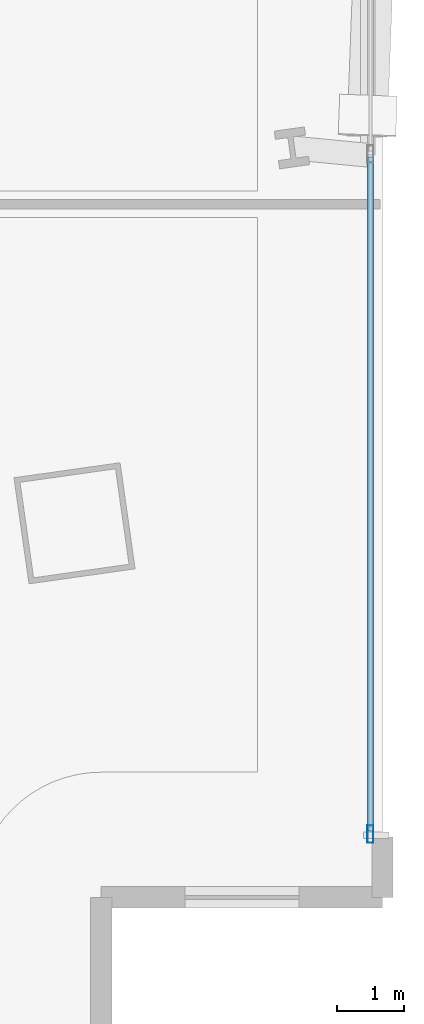
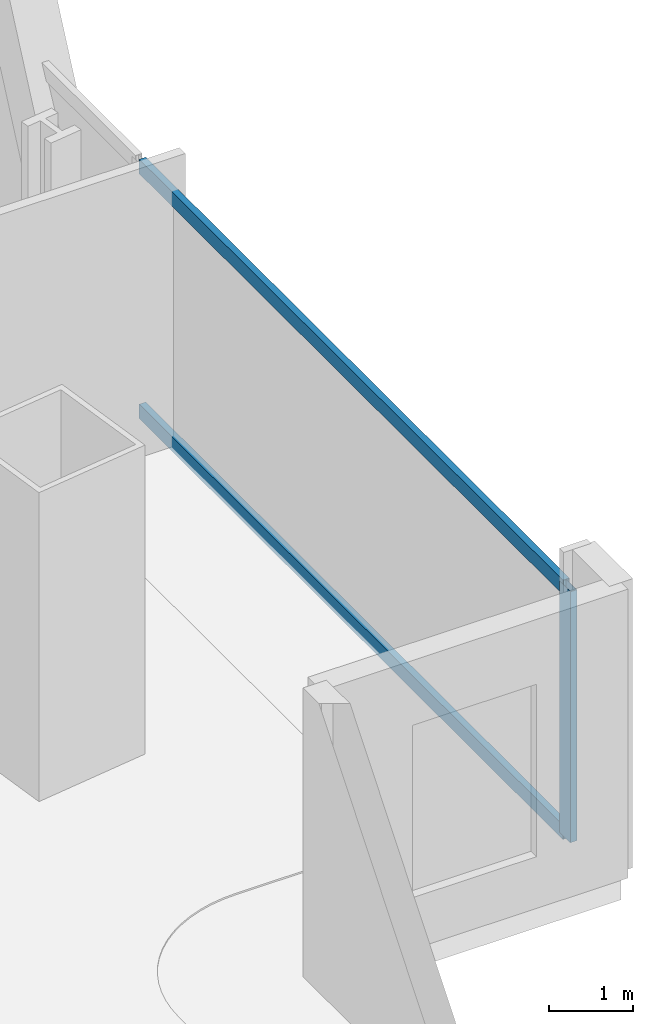
# One storey, part 9 of 29: 3 members, 1 element without a shape of its own.
"""IFC4 building model written with IfcOpenShell, lengths in metres."""

from ifc_helpers import new_model, si_unit, direction, frame, origin, origin_2d, place, context, subcontext, project, spatial, hollow_rectangle, extrude, material, material_profile, profile_set, type_object, element, aggregate, save


model = new_model("IFC4")

# Units and contexts
model_context = context("Model", 3, precision=1e-05, world=origin(), true_north=direction((0.0, 1.0)))
body_context = subcontext(model_context, "Body", "Model", "MODEL_VIEW")
ifc_project = project(units=[si_unit("LENGTHUNIT", "METRE"), si_unit("AREAUNIT", "SQUARE_METRE"), si_unit("VOLUMEUNIT", "CUBIC_METRE"), si_unit("PLANEANGLEUNIT", "RADIAN"), si_unit("MASSUNIT", "GRAM", prefix="KILO")], contexts=[model_context])

# Site, building, storey
site_placement = place(None, origin())
site = spatial("IfcSite", under=ifc_project, at=site_placement, CompositionType="ELEMENT")
building_placement = place(site_placement, origin())
building = spatial("IfcBuilding", under=site, at=building_placement, Name="Haldenkirk Collegiate Tower", CompositionType="ELEMENT")
storey_placement = place(building_placement, frame((0.0, 0.0, 28.199951171875)))
storey = spatial("IfcBuildingStorey", under=building, at=storey_placement, Name="L05", CompositionType="ELEMENT", Elevation=28.199951171875)

# Curtain wall, members
ifc_material = material(Name="Anodised architectural bronze aluminium", Category="aluminium")
curtain_wall_type = type_object("IfcCurtainWallType", Name="CW-SYS4-SKYGARDEN", PredefinedType="USERDEFINED", material=ifc_material)
curtain_wall_placement = place(storey_placement, origin())
curtain_wall = element("IfcCurtainWall", 1, at=curtain_wall_placement, inside=storey, type_object=curtain_wall_type, Name="L05 Sky-garden tall bronze curtain wall", ObjectType="UNITISED CURTAIN WALL", PredefinedType="USERDEFINED")
ifc_material_profile_1 = material_profile(ifc_material, hollow_rectangle(XDim=0.090087890625, YDim=0.260009765625, WallThickness=0.0048828125, at=origin_2d()), Name="CW-MUL-04")
ifc_profile_set_1 = profile_set([ifc_material_profile_1], Name="Anodised architectural bronze aluminium")
member_type_1 = type_object("IfcMemberType", Name="CW-MUL-04", PredefinedType="MULLION", material=ifc_profile_set_1)
member_1_placement = place(storey_placement, frame((62.820068359375, 6.14501953125, 0.0), z_axis=(0.0, 0.0, 1.0), x_axis=(1.0, 0.0, 0.0)))
member_1 = element("IfcMember", 2, at=member_1_placement, type_object=member_type_1, Name="CW-04 mullion 5", PredefinedType="MULLION", context=body_context, shape_type="SweptSolid", body=[
    extrude(hollow_rectangle(XDim=0.090087890625, YDim=0.260009765625, WallThickness=0.0048828125, at=origin_2d()), origin(), (0.0, 0.0, 1.0), 3.64111328125),
])
ifc_material_profile_2 = material_profile(ifc_material, hollow_rectangle(XDim=0.090087890625, YDim=0.2099609375, WallThickness=0.0048828125, at=origin_2d()), Name="CW-TRN-04")
ifc_profile_set_2 = profile_set([ifc_material_profile_2], Name="Anodised architectural bronze aluminium")
member_type_2 = type_object("IfcMemberType", Name="CW-TRN-04", PredefinedType="USERDEFINED", material=ifc_profile_set_2)
member_2_placement = place(storey_placement, frame((62.820068359375, 16.2548828125, 0.045166015625), z_axis=(0.0, -1.0, 0.0), x_axis=(1.0, 0.0, 0.0)))
member_2 = element("IfcMember", 3, at=member_2_placement, type_object=member_type_2, Name="CW-04 transom 4.1", ObjectType="TRANSOM", PredefinedType="USERDEFINED", context=body_context, shape_type="SweptSolid", body=[
    extrude(hollow_rectangle(XDim=0.090087890625, YDim=0.2099609375, WallThickness=0.0048828125, at=origin_2d()), origin(), (0.0, 0.0, 1.0), 10.06494140625),
])
member_3_placement = place(storey_placement, frame((62.820068359375, 16.2548828125, 3.595947265625), z_axis=(0.0, -1.0, 0.0), x_axis=(1.0, 0.0, 0.0)))
member_3 = element("IfcMember", 4, at=member_3_placement, type_object=member_type_2, Name="CW-04 transom 4.2", ObjectType="TRANSOM", PredefinedType="USERDEFINED", context=body_context, shape_type="SweptSolid", body=[
    extrude(hollow_rectangle(XDim=0.090087890625, YDim=0.2099609375, WallThickness=0.0048828125, at=origin_2d()), origin(), (0.0, 0.0, 1.0), 10.06494140625),
])
aggregate(curtain_wall, [member_1, member_2, member_3])

save(model, "model.ifc")
